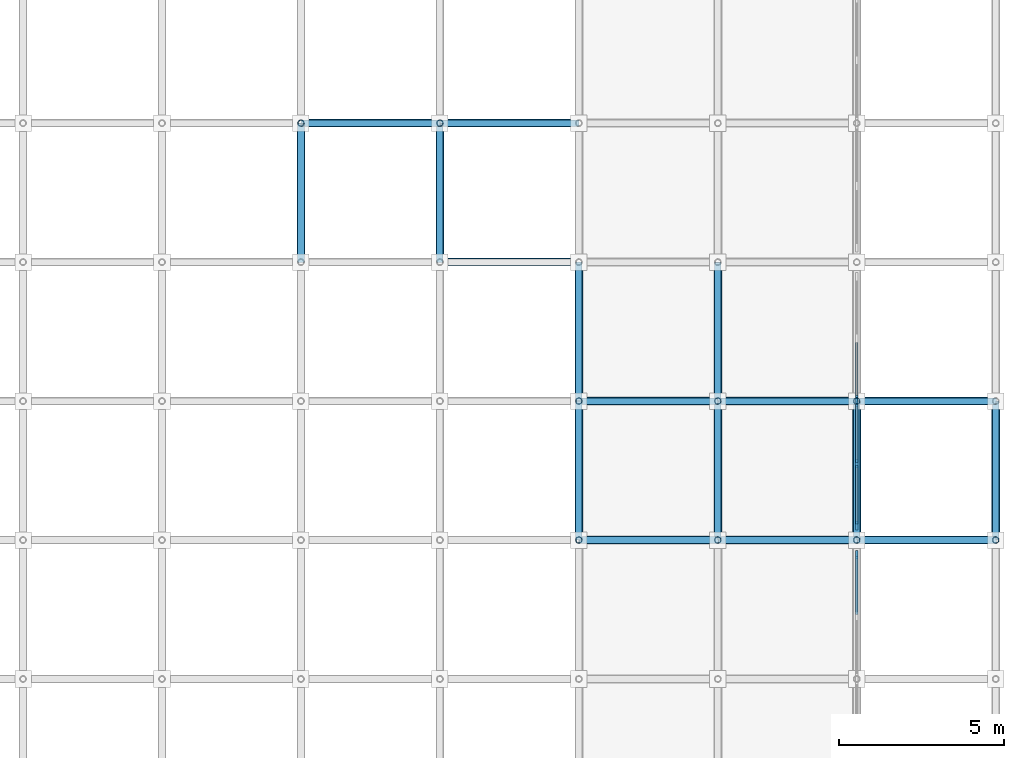
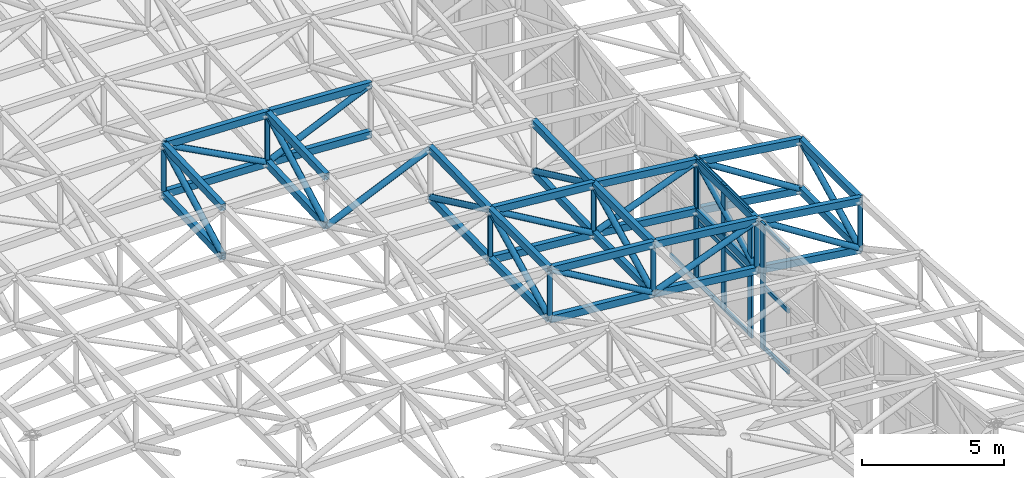
# One storey, part 47 of 123: 73 members, 3 elements without a shape of their own.
"""IFC4 building model written with IfcOpenShell, lengths in metres."""

from ifc_helpers import new_model, si_unit, direction, frame, origin, origin_2d, place, context, subcontext, project, spatial, rectangle, hollow_rectangle, hollow_circle, extrude, material, material_profile, profile_set, type_object, element, aggregate, save


model = new_model("IFC4")

# Units and contexts
model_context = context("Model", 3, precision=1e-05, world=origin(), true_north=direction((0.0, 1.0)))
body_context = subcontext(model_context, "Body", "Model", "MODEL_VIEW")
ifc_project = project(units=[si_unit("LENGTHUNIT", "METRE"), si_unit("AREAUNIT", "SQUARE_METRE"), si_unit("VOLUMEUNIT", "CUBIC_METRE"), si_unit("PLANEANGLEUNIT", "RADIAN"), si_unit("MASSUNIT", "GRAM", prefix="KILO")], contexts=[model_context])

# Site, building, storey
site_placement = place(None, origin())
site = spatial("IfcSite", under=ifc_project, at=site_placement, CompositionType="ELEMENT")
building_placement = place(site_placement, origin())
building = spatial("IfcBuilding", under=site, at=building_placement, Name="Cumbredor Promenade Congress Hotel", CompositionType="ELEMENT")
storey_placement = place(building_placement, frame((0.0, 0.0, 11.760009765625)))
storey = spatial("IfcBuildingStorey", under=building, at=storey_placement, Name="L03", CompositionType="ELEMENT", Elevation=11.760009765625)

# Members
ifc_material_1 = material(Name="Steel ASTM A500 Grade C", Category="steel")
ifc_material_profile_1 = material_profile(ifc_material_1, hollow_rectangle(XDim=0.199951171875, YDim=0.300048828125, WallThickness=0.012451171875, at=origin_2d()), Name="HSS 300x200x12.5")
ifc_profile_set_1 = profile_set([ifc_material_profile_1], Name="Steel ASTM A500 Grade C")
member_type_1 = type_object("IfcMemberType", Name="Ballroom Roof Space Frame Chord", PredefinedType="CHORD", material=ifc_profile_set_1)
for number, where, z_axis, x_axis, name in (
    (1, (176.39990234375, 33.60009765625, 6.068603515625), (0.996195477156, 0.0, -0.087146837545), (0.0, 1.0, 0.0), "Grand Ballroom Pavilion X Top Chord 10.9"),
    (2, (176.39990234375, 33.60009765625, 3.96875), (0.996190448496, 0.0, -0.087204302222), (0.0, 1.0, 0.0), "Grand Ballroom Pavilion X Bottom Chord 10.9"),
):
    element("IfcMember", number, at=place(storey_placement, frame(where, z_axis=z_axis, x_axis=x_axis)), inside=storey, type_object=member_type_1, Name=name, PredefinedType="CHORD", context=body_context, shape_type="SweptSolid", body=[
        extrude(hollow_rectangle(XDim=0.199951171875, YDim=0.300048828125, WallThickness=0.012451171875, at=origin_2d()), origin(), (0.0, 0.0, 1.0), 4.21630859375),
    ])
for number, where, z_axis, x_axis, name in (
    (3, (180.60009765625, 33.60009765625, 5.701171875), (0.993720642915, 0.0, -0.111889605611), (0.0, 1.0, 0.0), "Grand Ballroom Pavilion X Top Chord 11.9"),
    (4, (180.60009765625, 33.60009765625, 3.60107421875), (0.993720642915, 0.0, -0.111889605611), (0.0, 1.0, 0.0), "Grand Ballroom Pavilion X Bottom Chord 11.9"),
):
    element("IfcMember", number, at=place(storey_placement, frame(where, z_axis=z_axis, x_axis=x_axis)), inside=storey, type_object=member_type_1, Name=name, PredefinedType="CHORD", context=body_context, shape_type="SweptSolid", body=[
        extrude(hollow_rectangle(XDim=0.199951171875, YDim=0.300048828125, WallThickness=0.012451171875, at=origin_2d()), origin(), (0.0, 0.0, 1.0), 4.2265625),
    ])
for number, where, z_axis, x_axis, name in (
    (5, (184.800048828125, 33.60009765625, 5.228271484375), (0.990705341554, 0.0, -0.136025461649), (0.0, 1.0, 0.0), "Grand Ballroom Pavilion X Top Chord 12.9"),
    (6, (184.800048828125, 33.60009765625, 3.128173828125), (0.990705341554, 0.0, -0.136025461649), (0.0, 1.0, 0.0), "Grand Ballroom Pavilion X Bottom Chord 12.9"),
):
    element("IfcMember", number, at=place(storey_placement, frame(where, z_axis=z_axis, x_axis=x_axis)), inside=storey, type_object=member_type_1, Name=name, PredefinedType="CHORD", context=body_context, shape_type="SweptSolid", body=[
        extrude(hollow_rectangle(XDim=0.199951171875, YDim=0.300048828125, WallThickness=0.012451171875, at=origin_2d()), origin(), (0.0, 0.0, 1.0), 4.2392578125),
    ])
for number, where, z_axis, x_axis, name in (
    (7, (176.39990234375, 37.800048828125, 6.068603515625), (0.996195477156, 0.0, -0.087146837545), (0.0, 1.0, 0.0), "Grand Ballroom Pavilion X Top Chord 10.10"),
    (8, (176.39990234375, 37.800048828125, 3.96875), (0.996190448496, 0.0, -0.087204302222), (0.0, 1.0, 0.0), "Grand Ballroom Pavilion X Bottom Chord 10.10"),
):
    element("IfcMember", number, at=place(storey_placement, frame(where, z_axis=z_axis, x_axis=x_axis)), inside=storey, type_object=member_type_1, Name=name, PredefinedType="CHORD", context=body_context, shape_type="SweptSolid", body=[
        extrude(hollow_rectangle(XDim=0.199951171875, YDim=0.300048828125, WallThickness=0.012451171875, at=origin_2d()), origin(), (0.0, 0.0, 1.0), 4.21630859375),
    ])
for number, where, z_axis, x_axis, name in (
    (9, (180.60009765625, 37.800048828125, 5.701171875), (0.993720642915, 0.0, -0.111889605611), (0.0, 1.0, 0.0), "Grand Ballroom Pavilion X Top Chord 11.10"),
    (10, (180.60009765625, 37.800048828125, 3.60107421875), (0.993720642915, 0.0, -0.111889605611), (0.0, 1.0, 0.0), "Grand Ballroom Pavilion X Bottom Chord 11.10"),
):
    element("IfcMember", number, at=place(storey_placement, frame(where, z_axis=z_axis, x_axis=x_axis)), inside=storey, type_object=member_type_1, Name=name, PredefinedType="CHORD", context=body_context, shape_type="SweptSolid", body=[
        extrude(hollow_rectangle(XDim=0.199951171875, YDim=0.300048828125, WallThickness=0.012451171875, at=origin_2d()), origin(), (0.0, 0.0, 1.0), 4.2265625),
    ])
for number, where, z_axis, x_axis, name in (
    (11, (184.800048828125, 37.800048828125, 5.228271484375), (0.990705341554, 0.0, -0.136025461649), (0.0, 1.0, 0.0), "Grand Ballroom Pavilion X Top Chord 12.10"),
    (12, (184.800048828125, 37.800048828125, 3.128173828125), (0.990705341554, 0.0, -0.136025461649), (0.0, 1.0, 0.0), "Grand Ballroom Pavilion X Bottom Chord 12.10"),
):
    element("IfcMember", number, at=place(storey_placement, frame(where, z_axis=z_axis, x_axis=x_axis)), inside=storey, type_object=member_type_1, Name=name, PredefinedType="CHORD", context=body_context, shape_type="SweptSolid", body=[
        extrude(hollow_rectangle(XDim=0.199951171875, YDim=0.300048828125, WallThickness=0.012451171875, at=origin_2d()), origin(), (0.0, 0.0, 1.0), 4.2392578125),
    ])
for number, where, z_axis, x_axis, name in (
    (13, (168.0, 46.199951171875, 6.7294921875), (0.999500386849, 0.0, -0.031606592481), (0.0, 1.0, 0.0), "Grand Ballroom Pavilion X Top Chord 8.12"),
    (14, (168.0, 46.199951171875, 4.62939453125), (0.999500386849, 0.0, -0.031606592481), (0.0, 1.0, 0.0), "Grand Ballroom Pavilion X Bottom Chord 8.12"),
):
    element("IfcMember", number, at=place(storey_placement, frame(where, z_axis=z_axis, x_axis=x_axis)), inside=storey, type_object=member_type_1, Name=name, PredefinedType="CHORD", context=body_context, shape_type="SweptSolid", body=[
        extrude(hollow_rectangle(XDim=0.199951171875, YDim=0.300048828125, WallThickness=0.012451171875, at=origin_2d()), origin(), (0.0, 0.0, 1.0), 4.2021484375),
    ])
for number, where, z_axis, x_axis, name in (
    (15, (172.199951171875, 46.199951171875, 6.5966796875), (0.998616064852, 0.0, -0.052592347541), (0.0, 1.0, 0.0), "Grand Ballroom Pavilion X Top Chord 9.12"),
    (16, (172.199951171875, 46.199951171875, 4.49658203125), (0.998616064852, 0.0, -0.052592347541), (0.0, 1.0, 0.0), "Grand Ballroom Pavilion X Bottom Chord 9.12"),
):
    element("IfcMember", number, at=place(storey_placement, frame(where, z_axis=z_axis, x_axis=x_axis)), inside=storey, type_object=member_type_1, Name=name, PredefinedType="CHORD", context=body_context, shape_type="SweptSolid", body=[
        extrude(hollow_rectangle(XDim=0.199951171875, YDim=0.300048828125, WallThickness=0.012451171875, at=origin_2d()), origin(), (0.0, 0.0, 1.0), 4.205810546875),
    ])
for number, where, z_axis, x_axis, name in (
    (17, (168.0, 42.0, 6.569091796875), (0.0, 0.999271520054, 0.038163191808), (-1.0, 0.0, 0.0), "Grand Ballroom Pavilion Y Top Chord 8.11"),
    (18, (168.0, 42.0, 4.468994140625), (0.0, 0.999271520054, 0.038163191808), (-1.0, 0.0, 0.0), "Grand Ballroom Pavilion Y Bottom Chord 8.11"),
):
    element("IfcMember", number, at=place(storey_placement, frame(where, z_axis=z_axis, x_axis=x_axis)), inside=storey, type_object=member_type_1, Name=name, PredefinedType="CHORD", context=body_context, shape_type="SweptSolid", body=[
        extrude(hollow_rectangle(XDim=0.199951171875, YDim=0.300048828125, WallThickness=0.012451171875, at=origin_2d()), origin(), (0.0, 0.0, 1.0), 4.203125),
    ])
for number, where, z_axis, x_axis, name in (
    (19, (172.199951171875, 42.0, 6.419677734375), (0.0, 0.999113130752, 0.042106436075), (-1.0, 0.0, 0.0), "Grand Ballroom Pavilion Y Top Chord 9.11"),
    (20, (172.199951171875, 42.0, 4.31982421875), (0.0, 0.999115572358, 0.042048460989), (-1.0, 0.0, 0.0), "Grand Ballroom Pavilion Y Bottom Chord 9.11"),
):
    element("IfcMember", number, at=place(storey_placement, frame(where, z_axis=z_axis, x_axis=x_axis)), inside=storey, type_object=member_type_1, Name=name, PredefinedType="CHORD", context=body_context, shape_type="SweptSolid", body=[
        extrude(hollow_rectangle(XDim=0.199951171875, YDim=0.300048828125, WallThickness=0.012451171875, at=origin_2d()), origin(), (0.0, 0.0, 1.0), 4.20361328125),
    ])
for number, where, z_axis, x_axis, name in (
    (21, (176.39990234375, 33.60009765625, 6.068603515625), (0.0, 1.0, 0.0), (-1.0, 0.0, 0.0), "Grand Ballroom Pavilion Y Top Chord 10.9"),
    (22, (176.39990234375, 33.60009765625, 3.96875), (0.0, 1.0, 0.0), (-1.0, 0.0, 0.0), "Grand Ballroom Pavilion Y Bottom Chord 10.9"),
):
    element("IfcMember", number, at=place(storey_placement, frame(where, z_axis=z_axis, x_axis=x_axis)), inside=storey, type_object=member_type_1, Name=name, PredefinedType="CHORD", context=body_context, shape_type="SweptSolid", body=[
        extrude(hollow_rectangle(XDim=0.199951171875, YDim=0.300048828125, WallThickness=0.012451171875, at=origin_2d()), origin(), (0.0, 0.0, 1.0), 4.199951171875),
    ])
for number, where, z_axis, x_axis, name in (
    (23, (176.39990234375, 37.800048828125, 6.068603515625), (0.0, 0.999703519252, 0.024348995789), (-1.0, 0.0, 0.0), "Grand Ballroom Pavilion Y Top Chord 10.10"),
    (24, (176.39990234375, 37.800048828125, 3.96875), (0.0, 0.99970493212, 0.024290917958), (-1.0, 0.0, 0.0), "Grand Ballroom Pavilion Y Bottom Chord 10.10"),
):
    element("IfcMember", number, at=place(storey_placement, frame(where, z_axis=z_axis, x_axis=x_axis)), inside=storey, type_object=member_type_1, Name=name, PredefinedType="CHORD", context=body_context, shape_type="SweptSolid", body=[
        extrude(hollow_rectangle(XDim=0.199951171875, YDim=0.300048828125, WallThickness=0.012451171875, at=origin_2d()), origin(), (0.0, 0.0, 1.0), 4.201171875),
    ])
for number, where, z_axis, x_axis, name in (
    (25, (180.60009765625, 33.60009765625, 5.701171875), (0.0, 1.0, 0.0), (-1.0, 0.0, 0.0), "Grand Ballroom Pavilion Y Top Chord 11.9"),
    (26, (180.60009765625, 33.60009765625, 3.60107421875), (0.0, 1.0, 0.0), (-1.0, 0.0, 0.0), "Grand Ballroom Pavilion Y Bottom Chord 11.9"),
):
    element("IfcMember", number, at=place(storey_placement, frame(where, z_axis=z_axis, x_axis=x_axis)), inside=storey, type_object=member_type_1, Name=name, PredefinedType="CHORD", context=body_context, shape_type="SweptSolid", body=[
        extrude(hollow_rectangle(XDim=0.199951171875, YDim=0.300048828125, WallThickness=0.012451171875, at=origin_2d()), origin(), (0.0, 0.0, 1.0), 4.199951171875),
    ])
for number, where, z_axis, x_axis, name in (
    (27, (180.60009765625, 37.800048828125, 5.701171875), (0.0, 0.999582936058, 0.028878260723), (-1.0, 0.0, 0.0), "Grand Ballroom Pavilion Y Top Chord 11.10"),
    (28, (180.60009765625, 37.800048828125, 3.60107421875), (0.0, 0.999581257099, 0.028936317272), (-1.0, 0.0, 0.0), "Grand Ballroom Pavilion Y Bottom Chord 11.10"),
):
    element("IfcMember", number, at=place(storey_placement, frame(where, z_axis=z_axis, x_axis=x_axis)), inside=storey, type_object=member_type_1, Name=name, PredefinedType="CHORD", context=body_context, shape_type="SweptSolid", body=[
        extrude(hollow_rectangle(XDim=0.199951171875, YDim=0.300048828125, WallThickness=0.012451171875, at=origin_2d()), origin(), (0.0, 0.0, 1.0), 4.20166015625),
    ])
for number, where, z_axis, x_axis, name in (
    (29, (184.800048828125, 33.60009765625, 5.228271484375), (0.0, 1.0, 0.0), (-1.0, 0.0, 0.0), "Grand Ballroom Pavilion Y Top Chord 12.9"),
    (30, (184.800048828125, 33.60009765625, 3.128173828125), (0.0, 1.0, 0.0), (-1.0, 0.0, 0.0), "Grand Ballroom Pavilion Y Bottom Chord 12.9"),
    (31, (189.0, 33.60009765625, 4.651611328125), (0.0, 1.0, 0.0), (-1.0, 0.0, 0.0), "Grand Ballroom Pavilion Y Top Chord 13.9"),
    (32, (189.0, 33.60009765625, 2.551513671875), (0.0, 1.0, 0.0), (-1.0, 0.0, 0.0), "Grand Ballroom Pavilion Y Bottom Chord 13.9"),
):
    element("IfcMember", number, at=place(storey_placement, frame(where, z_axis=z_axis, x_axis=x_axis)), inside=storey, type_object=member_type_1, Name=name, PredefinedType="CHORD", context=body_context, shape_type="SweptSolid", body=[
        extrude(hollow_rectangle(XDim=0.199951171875, YDim=0.300048828125, WallThickness=0.012451171875, at=origin_2d()), origin(), (0.0, 0.0, 1.0), 4.199951171875),
    ])

# Curtain wall, member
ifc_material_2 = material(Name="Thermally broken anodized aluminium and low-E glass", Category="aluminium")
curtain_wall_type = type_object("IfcCurtainWallType", Name="Stepped Pavilion Clerestory Curtain Wall CW-06", PredefinedType="NOTDEFINED", material=ifc_material_2)
curtain_wall_1_placement = place(storey_placement, origin())
curtain_wall_1 = element("IfcCurtainWall", 33, at=curtain_wall_1_placement, inside=storey, type_object=curtain_wall_type, Name="Grand Ballroom Pavilion E Glazed Clerestory 6", PredefinedType="NOTDEFINED")
ifc_material_3 = material(Name="Thermally broken anodized aluminium", Category="aluminium")
ifc_material_profile_2 = material_profile(ifc_material_3, rectangle(XDim=0.0849609375, YDim=0.260009765625, at=origin_2d()), Name="ALU MULLION CLERESTORY 85x260")
ifc_profile_set_2 = profile_set([ifc_material_profile_2], Name="Thermally broken anodized aluminium")
member_type_2 = type_object("IfcMemberType", Name="Curtain Wall Mullion ML-04", PredefinedType="MULLION", material=ifc_profile_set_2)
member_1_placement = place(storey_placement, frame((184.800048828125, 33.159912109375, -0.01806640625), z_axis=(0.0, 0.0, 1.0), x_axis=(1.0, 0.0, 0.0)))
member_1 = element("IfcMember", 34, at=member_1_placement, type_object=member_type_2, Name="Grand Ballroom Pavilion E Glazed Clerestory 6 Mullion 3", PredefinedType="MULLION", context=body_context, shape_type="SweptSolid", body=[
    extrude(rectangle(XDim=0.0849609375, YDim=0.260009765625, at=origin_2d()), origin(), (0.0, 0.0, 1.0), 5.42236328125),
])

# Curtain wall, members
curtain_wall_2_placement = place(storey_placement, origin())
curtain_wall_2 = element("IfcCurtainWall", 35, at=curtain_wall_2_placement, inside=storey, type_object=curtain_wall_type, Name="Grand Ballroom Pavilion E Glazed Clerestory 7", PredefinedType="NOTDEFINED")
member_2_placement = place(storey_placement, frame((184.800048828125, 34.0400390625, -0.01806640625), z_axis=(0.0, 0.0, 1.0), x_axis=(1.0, 0.0, 0.0)))
member_2 = element("IfcMember", 36, at=member_2_placement, type_object=member_type_2, Name="Grand Ballroom Pavilion E Glazed Clerestory 7 Mullion 1", PredefinedType="MULLION", context=body_context, shape_type="SweptSolid", body=[
    extrude(rectangle(XDim=0.0849609375, YDim=0.260009765625, at=origin_2d()), origin(), (0.0, 0.0, 1.0), 5.42236328125),
])
member_3_placement = place(storey_placement, frame((184.800048828125, 35.89990234375, -0.01806640625), z_axis=(0.0, 0.0, 1.0), x_axis=(1.0, 0.0, 0.0)))
member_3 = element("IfcMember", 37, at=member_3_placement, type_object=member_type_2, Name="Grand Ballroom Pavilion E Glazed Clerestory 7 Mullion 2", PredefinedType="MULLION", context=body_context, shape_type="SweptSolid", body=[
    extrude(rectangle(XDim=0.0849609375, YDim=0.260009765625, at=origin_2d()), origin(), (0.0, 0.0, 1.0), 5.42236328125),
])
member_4_placement = place(storey_placement, frame((184.800048828125, 37.760009765625, -0.01806640625), z_axis=(0.0, 0.0, 1.0), x_axis=(1.0, 0.0, 0.0)))
member_4 = element("IfcMember", 38, at=member_4_placement, type_object=member_type_2, Name="Grand Ballroom Pavilion E Glazed Clerestory 7 Mullion 3", PredefinedType="MULLION", context=body_context, shape_type="SweptSolid", body=[
    extrude(rectangle(XDim=0.0849609375, YDim=0.260009765625, at=origin_2d()), origin(), (0.0, 0.0, 1.0), 5.42236328125),
])

# Curtain wall, member
curtain_wall_3_placement = place(storey_placement, origin())
curtain_wall_3 = element("IfcCurtainWall", 39, at=curtain_wall_3_placement, inside=storey, type_object=curtain_wall_type, Name="Grand Ballroom Pavilion E Glazed Clerestory 8", PredefinedType="NOTDEFINED")
member_5_placement = place(storey_placement, frame((184.800048828125, 37.840087890625, -0.01806640625), z_axis=(0.0, 0.0, 1.0), x_axis=(1.0, 0.0, 0.0)))
member_5 = element("IfcMember", 40, at=member_5_placement, type_object=member_type_2, Name="Grand Ballroom Pavilion E Glazed Clerestory 8 Mullion 1", PredefinedType="MULLION", context=body_context, shape_type="SweptSolid", body=[
    extrude(rectangle(XDim=0.0849609375, YDim=0.260009765625, at=origin_2d()), origin(), (0.0, 0.0, 1.0), 5.42236328125),
])

# Member
ifc_material_profile_3 = material_profile(ifc_material_3, rectangle(XDim=0.080078125, YDim=0.179931640625, at=origin_2d()), Name="ALU TRANSOM 80x180")
ifc_profile_set_3 = profile_set([ifc_material_profile_3], Name="Thermally broken anodized aluminium")
member_type_3 = type_object("IfcMemberType", Name="Curtain Wall Transom TR-03", PredefinedType="USERDEFINED", material=ifc_profile_set_3)
member_6_placement = place(storey_placement, frame((184.800048828125, 31.342529296875, 0.080078125), z_axis=(0.0, 1.0, 0.0), x_axis=(-1.0, 0.0, 0.0)))
member_6 = element("IfcMember", 41, at=member_6_placement, type_object=member_type_3, Name="Grand Ballroom Pavilion E Glazed Clerestory 6 Transom 2.1", ObjectType="TRANSOM", PredefinedType="USERDEFINED", context=body_context, shape_type="SweptSolid", body=[
    extrude(rectangle(XDim=0.080078125, YDim=0.179931640625, at=origin_2d()), origin(), (0.0, 0.0, 1.0), 1.77490234375),
])

member_7_placement = place(storey_placement, frame((184.800048828125, 31.342529296875, 2.699951171875), z_axis=(0.0, 1.0, 0.0), x_axis=(-1.0, 0.0, 0.0)))
member_7 = element("IfcMember", 42, at=member_7_placement, type_object=member_type_3, Name="Grand Ballroom Pavilion E Glazed Clerestory 6 Transom 2.2", ObjectType="TRANSOM", PredefinedType="USERDEFINED", context=body_context, shape_type="SweptSolid", body=[
    extrude(rectangle(XDim=0.080078125, YDim=0.179931640625, at=origin_2d()), origin(), (0.0, 0.0, 1.0), 1.77490234375),
])

member_8_placement = place(storey_placement, frame((184.800048828125, 31.342529296875, 5.31005859375), z_axis=(0.0, 1.0, 0.0), x_axis=(-1.0, 0.0, 0.0)))
member_8 = element("IfcMember", 43, at=member_8_placement, type_object=member_type_3, Name="Grand Ballroom Pavilion E Glazed Clerestory 6 Transom 2.3", ObjectType="TRANSOM", PredefinedType="USERDEFINED", context=body_context, shape_type="SweptSolid", body=[
    extrude(rectangle(XDim=0.080078125, YDim=0.179931640625, at=origin_2d()), origin(), (0.0, 0.0, 1.0), 1.77490234375),
])

aggregate(curtain_wall_1, [member_1, member_6, member_7, member_8])

member_9_placement = place(storey_placement, frame((184.800048828125, 34.08251953125, 0.080078125), z_axis=(0.0, 1.0, 0.0), x_axis=(-1.0, 0.0, 0.0)))
member_9 = element("IfcMember", 44, at=member_9_placement, type_object=member_type_3, Name="Grand Ballroom Pavilion E Glazed Clerestory 7 Transom 1.1", ObjectType="TRANSOM", PredefinedType="USERDEFINED", context=body_context, shape_type="SweptSolid", body=[
    extrude(rectangle(XDim=0.080078125, YDim=0.179931640625, at=origin_2d()), origin(), (0.0, 0.0, 1.0), 1.77490234375),
])

member_10_placement = place(storey_placement, frame((184.800048828125, 34.08251953125, 2.699951171875), z_axis=(0.0, 1.0, 0.0), x_axis=(-1.0, 0.0, 0.0)))
member_10 = element("IfcMember", 45, at=member_10_placement, type_object=member_type_3, Name="Grand Ballroom Pavilion E Glazed Clerestory 7 Transom 1.2", ObjectType="TRANSOM", PredefinedType="USERDEFINED", context=body_context, shape_type="SweptSolid", body=[
    extrude(rectangle(XDim=0.080078125, YDim=0.179931640625, at=origin_2d()), origin(), (0.0, 0.0, 1.0), 1.77490234375),
])

member_11_placement = place(storey_placement, frame((184.800048828125, 34.08251953125, 5.31005859375), z_axis=(0.0, 1.0, 0.0), x_axis=(-1.0, 0.0, 0.0)))
member_11 = element("IfcMember", 46, at=member_11_placement, type_object=member_type_3, Name="Grand Ballroom Pavilion E Glazed Clerestory 7 Transom 1.3", ObjectType="TRANSOM", PredefinedType="USERDEFINED", context=body_context, shape_type="SweptSolid", body=[
    extrude(rectangle(XDim=0.080078125, YDim=0.179931640625, at=origin_2d()), origin(), (0.0, 0.0, 1.0), 1.77490234375),
])

member_12_placement = place(storey_placement, frame((184.800048828125, 35.9423828125, 0.080078125), z_axis=(0.0, 1.0, 0.0), x_axis=(-1.0, 0.0, 0.0)))
member_12 = element("IfcMember", 47, at=member_12_placement, type_object=member_type_3, Name="Grand Ballroom Pavilion E Glazed Clerestory 7 Transom 2.1", ObjectType="TRANSOM", PredefinedType="USERDEFINED", context=body_context, shape_type="SweptSolid", body=[
    extrude(rectangle(XDim=0.080078125, YDim=0.179931640625, at=origin_2d()), origin(), (0.0, 0.0, 1.0), 1.775146484375),
])

member_13_placement = place(storey_placement, frame((184.800048828125, 35.9423828125, 2.699951171875), z_axis=(0.0, 1.0, 0.0), x_axis=(-1.0, 0.0, 0.0)))
member_13 = element("IfcMember", 48, at=member_13_placement, type_object=member_type_3, Name="Grand Ballroom Pavilion E Glazed Clerestory 7 Transom 2.2", ObjectType="TRANSOM", PredefinedType="USERDEFINED", context=body_context, shape_type="SweptSolid", body=[
    extrude(rectangle(XDim=0.080078125, YDim=0.179931640625, at=origin_2d()), origin(), (0.0, 0.0, 1.0), 1.775146484375),
])

member_14_placement = place(storey_placement, frame((184.800048828125, 35.9423828125, 5.31005859375), z_axis=(0.0, 1.0, 0.0), x_axis=(-1.0, 0.0, 0.0)))
member_14 = element("IfcMember", 49, at=member_14_placement, type_object=member_type_3, Name="Grand Ballroom Pavilion E Glazed Clerestory 7 Transom 2.3", ObjectType="TRANSOM", PredefinedType="USERDEFINED", context=body_context, shape_type="SweptSolid", body=[
    extrude(rectangle(XDim=0.080078125, YDim=0.179931640625, at=origin_2d()), origin(), (0.0, 0.0, 1.0), 1.775146484375),
])

aggregate(curtain_wall_2, [member_2, member_3, member_4, member_9, member_10, member_11, member_12, member_13, member_14])

member_15_placement = place(storey_placement, frame((184.800048828125, 37.882568359375, 0.080078125), z_axis=(0.0, 1.0, 0.0), x_axis=(-1.0, 0.0, 0.0)))
member_15 = element("IfcMember", 50, at=member_15_placement, type_object=member_type_3, Name="Grand Ballroom Pavilion E Glazed Clerestory 8 Transom 1.1", ObjectType="TRANSOM", PredefinedType="USERDEFINED", context=body_context, shape_type="SweptSolid", body=[
    extrude(rectangle(XDim=0.080078125, YDim=0.179931640625, at=origin_2d()), origin(), (0.0, 0.0, 1.0), 1.77490234375),
])

aggregate(curtain_wall_3, [member_5, member_15])

# Members
ifc_material_profile_4 = material_profile(ifc_material_1, hollow_circle(Radius=0.122314453125, WallThickness=0.012451171875, at=origin_2d()), Name="CHS 244.5x12.5")
ifc_profile_set_4 = profile_set([ifc_material_profile_4], Name="Steel ASTM A500 Grade C")
member_type_4 = type_object("IfcMemberType", Name="Space Frame Web Diagonal D2", PredefinedType="BRACE", material=ifc_profile_set_4)
member_16_placement = place(storey_placement, frame((176.39990234375, 33.60009765625, 6.068603515625), z_axis=(0.862218807609, 0.0, -0.506536008399), x_axis=(0.0, 1.0, 0.0)))
element("IfcMember", 51, at=member_16_placement, inside=storey, type_object=member_type_4, Name="Grand Ballroom Pavilion X Web Diagonal 10.9", PredefinedType="BRACE", context=body_context, shape_type="SweptSolid", body=[
    extrude(hollow_circle(Radius=0.122314453125, WallThickness=0.012451171875, at=origin_2d()), origin(), (0.0, 0.0, 1.0), 4.871337890625),
])
member_17_placement = place(storey_placement, frame((180.60009765625, 33.60009765625, 3.60107421875), z_axis=(0.932462692846, 0.0, 0.361266281917), x_axis=(0.0, 1.0, 0.0)))
element("IfcMember", 52, at=member_17_placement, inside=storey, type_object=member_type_4, Name="Grand Ballroom Pavilion X Web Diagonal 11.9", PredefinedType="BRACE", context=body_context, shape_type="SweptSolid", body=[
    extrude(hollow_circle(Radius=0.122314453125, WallThickness=0.012451171875, at=origin_2d()), origin(), (0.0, 0.0, 1.0), 4.504150390625),
])
member_18_placement = place(storey_placement, frame((184.800048828125, 33.60009765625, 5.228271484375), z_axis=(0.843291907561, 0.0, -0.537455820177), x_axis=(0.0, 1.0, 0.0)))
element("IfcMember", 53, at=member_18_placement, inside=storey, type_object=member_type_4, Name="Grand Ballroom Pavilion X Web Diagonal 12.9", PredefinedType="BRACE", context=body_context, shape_type="SweptSolid", body=[
    extrude(hollow_circle(Radius=0.122314453125, WallThickness=0.012451171875, at=origin_2d()), origin(), (0.0, 0.0, 1.0), 4.98046875),
])
member_19_placement = place(storey_placement, frame((176.39990234375, 37.800048828125, 6.068603515625), z_axis=(0.862218807609, 0.0, -0.506536008399), x_axis=(0.0, 1.0, 0.0)))
element("IfcMember", 54, at=member_19_placement, inside=storey, type_object=member_type_4, Name="Grand Ballroom Pavilion X Web Diagonal 10.10", PredefinedType="BRACE", context=body_context, shape_type="SweptSolid", body=[
    extrude(hollow_circle(Radius=0.122314453125, WallThickness=0.012451171875, at=origin_2d()), origin(), (0.0, 0.0, 1.0), 4.871337890625),
])
member_20_placement = place(storey_placement, frame((180.60009765625, 37.800048828125, 3.60107421875), z_axis=(0.932462692846, 0.0, 0.361266281917), x_axis=(0.0, 1.0, 0.0)))
element("IfcMember", 55, at=member_20_placement, inside=storey, type_object=member_type_4, Name="Grand Ballroom Pavilion X Web Diagonal 11.10", PredefinedType="BRACE", context=body_context, shape_type="SweptSolid", body=[
    extrude(hollow_circle(Radius=0.122314453125, WallThickness=0.012451171875, at=origin_2d()), origin(), (0.0, 0.0, 1.0), 4.504150390625),
])
member_21_placement = place(storey_placement, frame((184.800048828125, 37.800048828125, 5.228271484375), z_axis=(0.843291907561, 0.0, -0.537455820177), x_axis=(0.0, 1.0, 0.0)))
element("IfcMember", 56, at=member_21_placement, inside=storey, type_object=member_type_4, Name="Grand Ballroom Pavilion X Web Diagonal 12.10", PredefinedType="BRACE", context=body_context, shape_type="SweptSolid", body=[
    extrude(hollow_circle(Radius=0.122314453125, WallThickness=0.012451171875, at=origin_2d()), origin(), (0.0, 0.0, 1.0), 4.98046875),
])
member_22_placement = place(storey_placement, frame((172.199951171875, 42.0, 4.31982421875), z_axis=(0.915066223457, 0.0, 0.403303616012), x_axis=(0.0, 1.0, 0.0)))
element("IfcMember", 57, at=member_22_placement, inside=storey, type_object=member_type_4, Name="Grand Ballroom Pavilion X Web Diagonal 9.11", PredefinedType="BRACE", context=body_context, shape_type="SweptSolid", body=[
    extrude(hollow_circle(Radius=0.122314453125, WallThickness=0.012451171875, at=origin_2d()), origin(), (0.0, 0.0, 1.0), 4.58984375),
])
member_23_placement = place(storey_placement, frame((168.0, 46.199951171875, 6.7294921875), z_axis=(0.882968811413, 0.0, -0.469431654315), x_axis=(0.0, 1.0, 0.0)))
element("IfcMember", 58, at=member_23_placement, inside=storey, type_object=member_type_4, Name="Grand Ballroom Pavilion X Web Diagonal 8.12", PredefinedType="BRACE", context=body_context, shape_type="SweptSolid", body=[
    extrude(hollow_circle(Radius=0.122314453125, WallThickness=0.012451171875, at=origin_2d()), origin(), (0.0, 0.0, 1.0), 4.756591796875),
])
member_24_placement = place(storey_placement, frame((172.199951171875, 46.199951171875, 4.49658203125), z_axis=(0.912819813426, 0.0, 0.408362569559), x_axis=(0.0, 1.0, 0.0)))
element("IfcMember", 59, at=member_24_placement, inside=storey, type_object=member_type_4, Name="Grand Ballroom Pavilion X Web Diagonal 9.12", PredefinedType="BRACE", context=body_context, shape_type="SweptSolid", body=[
    extrude(hollow_circle(Radius=0.122314453125, WallThickness=0.012451171875, at=origin_2d()), origin(), (0.0, 0.0, 1.0), 4.60107421875),
])
member_25_placement = place(storey_placement, frame((168.0, 42.0, 4.468994140625), z_axis=(0.0, 0.880559838914, 0.47393498509), x_axis=(-1.0, 0.0, 0.0)))
element("IfcMember", 60, at=member_25_placement, inside=storey, type_object=member_type_4, Name="Grand Ballroom Pavilion Y Web Diagonal 8.11", PredefinedType="BRACE", context=body_context, shape_type="SweptSolid", body=[
    extrude(hollow_circle(Radius=0.122314453125, WallThickness=0.012451171875, at=origin_2d()), origin(), (0.0, 0.0, 1.0), 4.76953125),
])
member_26_placement = place(storey_placement, frame((172.199951171875, 42.0, 4.31982421875), z_axis=(0.0, 0.879126943322, 0.476587680836), x_axis=(-1.0, 0.0, 0.0)))
element("IfcMember", 61, at=member_26_placement, inside=storey, type_object=member_type_4, Name="Grand Ballroom Pavilion Y Web Diagonal 9.11", PredefinedType="BRACE", context=body_context, shape_type="SweptSolid", body=[
    extrude(hollow_circle(Radius=0.122314453125, WallThickness=0.012451171875, at=origin_2d()), origin(), (0.0, 0.0, 1.0), 4.77734375),
])
member_27_placement = place(storey_placement, frame((176.39990234375, 33.60009765625, 3.96875), z_axis=(0.0, 0.894437589381, 0.447192798132), x_axis=(-1.0, 0.0, 0.0)))
element("IfcMember", 62, at=member_27_placement, inside=storey, type_object=member_type_4, Name="Grand Ballroom Pavilion Y Web Diagonal 10.9", PredefinedType="BRACE", context=body_context, shape_type="SweptSolid", body=[
    extrude(hollow_circle(Radius=0.122314453125, WallThickness=0.012451171875, at=origin_2d()), origin(), (0.0, 0.0, 1.0), 4.695556640625),
])
member_28_placement = place(storey_placement, frame((176.39990234375, 37.800048828125, 6.068603515625), z_axis=(0.0, 0.903041884689, -0.429552504936), x_axis=(-1.0, 0.0, 0.0)))
element("IfcMember", 63, at=member_28_placement, inside=storey, type_object=member_type_4, Name="Grand Ballroom Pavilion Y Web Diagonal 10.10", PredefinedType="BRACE", context=body_context, shape_type="SweptSolid", body=[
    extrude(hollow_circle(Radius=0.122314453125, WallThickness=0.012451171875, at=origin_2d()), origin(), (0.0, 0.0, 1.0), 4.65087890625),
])
member_29_placement = place(storey_placement, frame((180.60009765625, 33.60009765625, 3.60107421875), z_axis=(0.0, 0.894416792377, 0.447234392142), x_axis=(-1.0, 0.0, 0.0)))
element("IfcMember", 64, at=member_29_placement, inside=storey, type_object=member_type_4, Name="Grand Ballroom Pavilion Y Web Diagonal 11.9", PredefinedType="BRACE", context=body_context, shape_type="SweptSolid", body=[
    extrude(hollow_circle(Radius=0.122314453125, WallThickness=0.012451171875, at=origin_2d()), origin(), (0.0, 0.0, 1.0), 4.69580078125),
])
member_30_placement = place(storey_placement, frame((180.60009765625, 37.800048828125, 5.701171875), z_axis=(0.0, 0.904647014701, -0.426161681517), x_axis=(-1.0, 0.0, 0.0)))
element("IfcMember", 65, at=member_30_placement, inside=storey, type_object=member_type_4, Name="Grand Ballroom Pavilion Y Web Diagonal 11.10", PredefinedType="BRACE", context=body_context, shape_type="SweptSolid", body=[
    extrude(hollow_circle(Radius=0.122314453125, WallThickness=0.012451171875, at=origin_2d()), origin(), (0.0, 0.0, 1.0), 4.642578125),
])
for number, where, z_axis, x_axis, name in (
    (66, (184.800048828125, 33.60009765625, 3.128173828125), (0.0, 0.894416792377, 0.447234392142), (-1.0, 0.0, 0.0), "Grand Ballroom Pavilion Y Web Diagonal 12.9"),
    (67, (189.0, 33.60009765625, 2.551513671875), (0.0, 0.894416792377, 0.447234392142), (-1.0, 0.0, 0.0), "Grand Ballroom Pavilion Y Web Diagonal 13.9"),
):
    element("IfcMember", number, at=place(storey_placement, frame(where, z_axis=z_axis, x_axis=x_axis)), inside=storey, type_object=member_type_4, Name=name, PredefinedType="BRACE", context=body_context, shape_type="SweptSolid", body=[
        extrude(hollow_circle(Radius=0.122314453125, WallThickness=0.012451171875, at=origin_2d()), origin(), (0.0, 0.0, 1.0), 4.69580078125),
    ])
ifc_material_profile_5 = material_profile(ifc_material_1, hollow_circle(Radius=0.096923828125, WallThickness=0.010009765625, at=origin_2d()), Name="CHS 193.7x10")
ifc_profile_set_5 = profile_set([ifc_material_profile_5], Name="Steel ASTM A500 Grade C")
member_type_5 = type_object("IfcMemberType", Name="Space Frame Web Post P1", PredefinedType="BRACE", material=ifc_profile_set_5)
for number, where, z_axis, x_axis, name in (
    (68, (168.0, 46.199951171875, 4.62939453125), (0.0, 0.0, 1.0), (1.0, 0.0, 0.0), "Grand Ballroom Pavilion Space Frame Web Post 8.12"),
    (69, (172.199951171875, 46.199951171875, 4.49658203125), (0.0, 0.0, 1.0), (1.0, 0.0, 0.0), "Grand Ballroom Pavilion Space Frame Web Post 9.12"),
):
    element("IfcMember", number, at=place(storey_placement, frame(where, z_axis=z_axis, x_axis=x_axis)), inside=storey, type_object=member_type_5, Name=name, PredefinedType="BRACE", context=body_context, shape_type="SweptSolid", body=[
        extrude(hollow_circle(Radius=0.096923828125, WallThickness=0.010009765625, at=origin_2d()), origin(), (0.0, 0.0, 1.0), 2.10009765625),
    ])
for number, where, z_axis, x_axis, name in (
    (70, (176.39990234375, 33.60009765625, 3.96875), (0.0, 0.0, 1.0), (1.0, 0.0, 0.0), "Grand Ballroom Pavilion Space Frame Web Post 10.9"),
    (71, (176.39990234375, 37.800048828125, 3.96875), (0.0, 0.0, 1.0), (1.0, 0.0, 0.0), "Grand Ballroom Pavilion Space Frame Web Post 10.10"),
):
    element("IfcMember", number, at=place(storey_placement, frame(where, z_axis=z_axis, x_axis=x_axis)), inside=storey, type_object=member_type_5, Name=name, PredefinedType="BRACE", context=body_context, shape_type="SweptSolid", body=[
        extrude(hollow_circle(Radius=0.096923828125, WallThickness=0.010009765625, at=origin_2d()), origin(), (0.0, 0.0, 1.0), 2.099853515625),
    ])
for number, where, z_axis, x_axis, name in (
    (72, (180.60009765625, 33.60009765625, 3.60107421875), (0.0, 0.0, 1.0), (1.0, 0.0, 0.0), "Grand Ballroom Pavilion Space Frame Web Post 11.9"),
    (73, (180.60009765625, 37.800048828125, 3.60107421875), (0.0, 0.0, 1.0), (1.0, 0.0, 0.0), "Grand Ballroom Pavilion Space Frame Web Post 11.10"),
    (74, (184.800048828125, 33.60009765625, 3.128173828125), (0.0, 0.0, 1.0), (1.0, 0.0, 0.0), "Grand Ballroom Pavilion Space Frame Web Post 12.9"),
    (75, (184.800048828125, 37.800048828125, 3.128173828125), (0.0, 0.0, 1.0), (1.0, 0.0, 0.0), "Grand Ballroom Pavilion Space Frame Web Post 12.10"),
    (76, (189.0, 33.60009765625, 2.551513671875), (0.0, 0.0, 1.0), (1.0, 0.0, 0.0), "Grand Ballroom Pavilion Space Frame Web Post 13.9"),
):
    element("IfcMember", number, at=place(storey_placement, frame(where, z_axis=z_axis, x_axis=x_axis)), inside=storey, type_object=member_type_5, Name=name, PredefinedType="BRACE", context=body_context, shape_type="SweptSolid", body=[
        extrude(hollow_circle(Radius=0.096923828125, WallThickness=0.010009765625, at=origin_2d()), origin(), (0.0, 0.0, 1.0), 2.10009765625),
    ])

save(model, "model.ifc")
